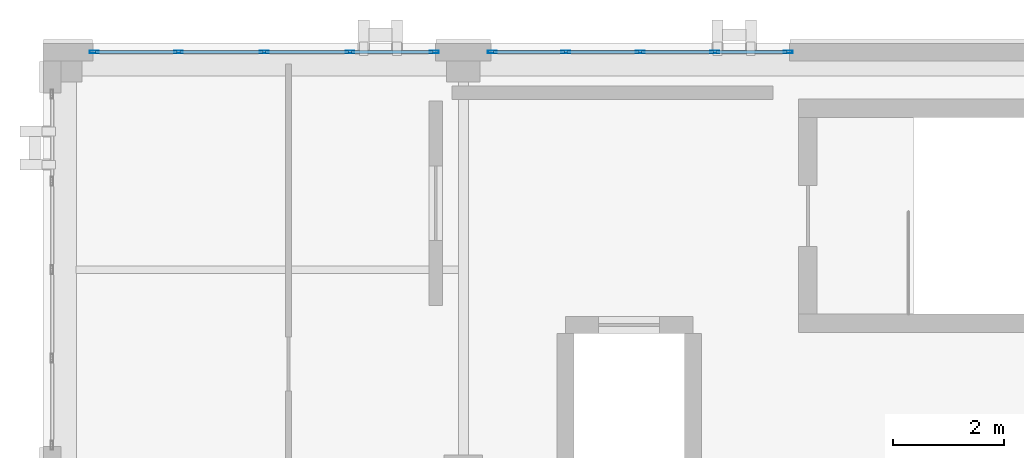
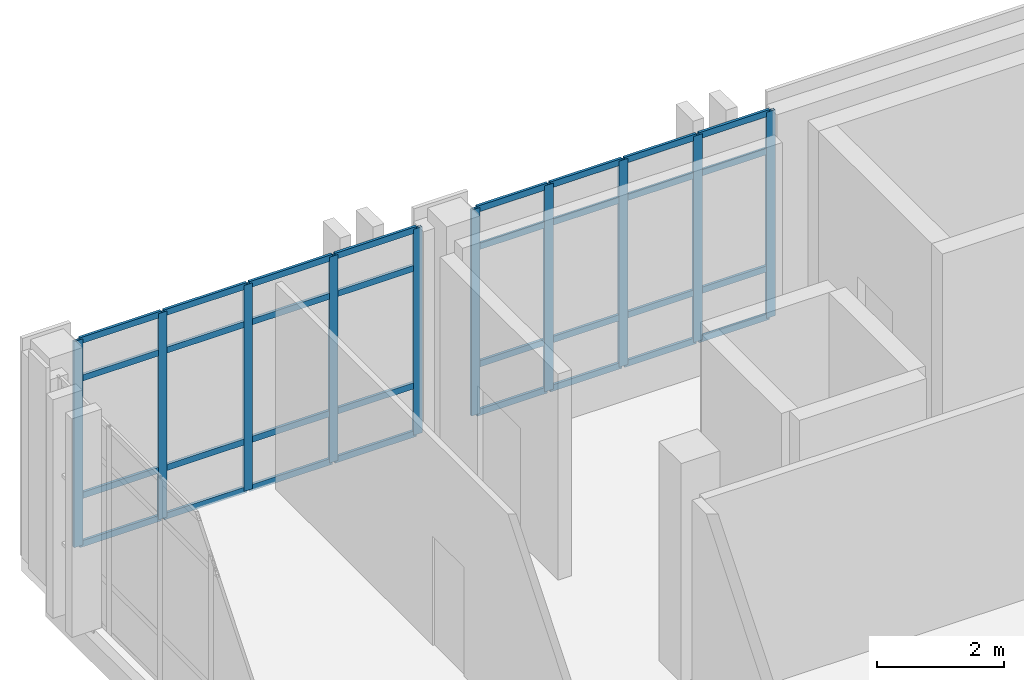
# One storey, part 14 of 19: 42 members, 2 elements without a shape of their own.
"""IFC4 building model written with IfcOpenShell, lengths in metres."""

import ifcopenshell
import ifcopenshell.guid

model = None  # the IFC model being written
_history = None  # IfcOwnerHistory: only IFC2X3 demands one
_inside = {}  # id of a spatial element -> (the spatial element, [elements in it])
_under = {}  # id of a project, library or spatial element -> (it, [spatial elements below it])
_declared = {}  # id of a project -> (the project, [libraries it declares])
_typed = {}  # id of a type object -> (the type object, [elements of that type])
_made_of = {}  # id of a material, layer set ... -> (it, [elements and type objects made of it])


def new_model(schema):
    """Start an empty IFC model of exactly this schema.

    Asked for "IFC4X3", IfcOpenShell would pick the latest addendum, in which some entities
    have other attributes; the version numbers below select the first issue.
    IFC2X3 requires an IfcOwnerHistory on every rooted entity: one is made here for all.
    """
    global model, _history
    if schema == "IFC4X3":
        model = ifcopenshell.file(schema_version=(4, 3, 0, 0))
    else:
        model = ifcopenshell.file(schema=schema)
    _inside.clear()
    _under.clear()
    _declared.clear()
    _typed.clear()
    _made_of.clear()
    _history = None
    if model.schema == "IFC2X3":
        org = make("IfcOrganization", Name="unknown")
        user = make(
            "IfcPersonAndOrganization",
            ThePerson=make("IfcPerson", FamilyName="unknown"),
            TheOrganization=org,
        )
        app = make(
            "IfcApplication",
            ApplicationDeveloper=org,
            Version="unknown",
            ApplicationFullName="unknown",
            ApplicationIdentifier="unknown",
        )
        _history = make(
            "IfcOwnerHistory",
            OwningUser=user,
            OwningApplication=app,
            ChangeAction="ADDED",
            CreationDate=0,
        )
    return model


def make(cls, **values):
    """One entity of the class cls with the attributes given. An attribute that is None is left unset."""
    return model.create_entity(
        cls, **{name: value for name, value in values.items() if value is not None}
    )


def rooted(cls, **values):
    """An entity with a GlobalId (a new one), such as an element, a storey or a relation."""
    return make(cls, GlobalId=ifcopenshell.guid.new(), OwnerHistory=_history, **values)


def si_unit(unit_type, name, prefix=None):
    """IfcSIUnit, for example si_unit("LENGTHUNIT", "METRE", prefix="MILLI")."""
    return make("IfcSIUnit", UnitType=unit_type, Prefix=prefix, Name=name)


def assignment(units):
    """IfcUnitAssignment: the units of a project."""
    return None if units is None else make("IfcUnitAssignment", Units=units)


def point(xyz):
    """IfcCartesianPoint."""
    return None if xyz is None else make("IfcCartesianPoint", Coordinates=xyz)


def direction(xyz):
    """IfcDirection."""
    return None if xyz is None else make("IfcDirection", DirectionRatios=xyz)


def frame(location, z_axis=None, x_axis=None):
    """IfcAxis2Placement3D, a coordinate frame: its origin and axes. An axis left out is left unset."""
    return make(
        "IfcAxis2Placement3D",
        Location=point(location),
        Axis=direction(z_axis),
        RefDirection=direction(x_axis),
    )


def frame_2d(location, x_axis=None):
    """IfcAxis2Placement2D, a coordinate frame in the plane: its origin and x axis."""
    return make(
        "IfcAxis2Placement2D", Location=point(location), RefDirection=direction(x_axis)
    )


def origin():
    """The frame at (0, 0, 0) with its axes left unset."""
    return frame((0.0, 0.0, 0.0))


def origin_2d():
    """The frame at (0, 0) in the plane with its x axis left unset."""
    return frame_2d((0.0, 0.0))


def place(relative_to, where):
    """IfcLocalPlacement: puts the frame where relative to a parent placement (None: the world)."""
    return make(
        "IfcLocalPlacement", PlacementRelTo=relative_to, RelativePlacement=where
    )


def context(
    kind, dimensions, precision=None, world=None, true_north=None, identifier=None
):
    """IfcGeometricRepresentationContext, for example the 3D "Model" context."""
    return make(
        "IfcGeometricRepresentationContext",
        ContextIdentifier=identifier,
        ContextType=kind,
        CoordinateSpaceDimension=dimensions,
        Precision=precision,
        WorldCoordinateSystem=world,
        TrueNorth=true_north,
    )


def subcontext(parent, identifier, kind, view, scale=None):
    """IfcGeometricRepresentationSubContext, for example "Body" below "Model"."""
    return make(
        "IfcGeometricRepresentationSubContext",
        ContextIdentifier=identifier,
        ContextType=kind,
        ParentContext=parent,
        TargetScale=scale,
        TargetView=view,
    )


def project(units=None, contexts=None):
    """IfcProject with its units and contexts."""
    return rooted(
        "IfcProject",
        Name="project",
        RepresentationContexts=contexts,
        UnitsInContext=assignment(units),
    )


def spatial(cls, under=None, at=None, **own):
    """A site, building, storey or space (cls), placed at a placement, below another one or the project."""
    s = rooted(cls, ObjectPlacement=at, **own)
    if under is not None:
        _under.setdefault(under.id(), (under, []))[1].append(s)
    return s


def profile(cls, at=None, kind="AREA", **sizes):
    """A parametric profile (cls). Its sizes go by their IFC names, for example OverallWidth=200.0."""
    return make(cls, ProfileType=kind, Position=at, **sizes)


def hollow_rectangle(**sizes):
    """IfcRectangleHollowProfileDef."""
    return profile("IfcRectangleHollowProfileDef", **sizes)


def extrude(swept, where, along, depth):
    """IfcExtrudedAreaSolid: the profile swept, set in the frame where, extruded along a direction by depth."""
    return make(
        "IfcExtrudedAreaSolid",
        SweptArea=swept,
        Position=where,
        ExtrudedDirection=direction(along),
        Depth=depth,
    )


def shape(context_of_items, identifier, shape_type, items):
    """IfcShapeRepresentation: the items that make up one representation, for example the "Body"."""
    return make(
        "IfcShapeRepresentation",
        ContextOfItems=context_of_items,
        RepresentationIdentifier=identifier,
        RepresentationType=shape_type,
        Items=items,
    )


def material(Name=None, Category=None):
    """IfcMaterial."""
    return make("IfcMaterial", Name=Name, Category=Category)


def layer(
    of_material, thickness, ventilated=None, Name=None, Category=None, Priority=None
):
    """IfcMaterialLayer: one layer of a wall or slab, of a material (None: an air gap)."""
    return make(
        "IfcMaterialLayer",
        Material=of_material,
        LayerThickness=thickness,
        IsVentilated=ventilated,
        Name=Name,
        Category=Category,
        Priority=Priority,
    )


def layer_set(layers, Name=None):
    """IfcMaterialLayerSet."""
    return make("IfcMaterialLayerSet", MaterialLayers=layers, LayerSetName=Name)


def material_profile(
    of_material, cross_section, Name=None, Category=None, Priority=None
):
    """IfcMaterialProfile: a cross section and its material."""
    return make(
        "IfcMaterialProfile",
        Name=Name,
        Material=of_material,
        Profile=cross_section,
        Priority=Priority,
        Category=Category,
    )


def profile_set(profiles, Name=None, composite=None):
    """IfcMaterialProfileSet."""
    return make(
        "IfcMaterialProfileSet",
        Name=Name,
        MaterialProfiles=profiles,
        CompositeProfile=composite,
    )


def made_of(thing, what):
    """Note that an element or type object is made of a material, layer set ...; save() writes the relation."""
    if what is not None:
        _made_of.setdefault(what.id(), (what, []))[1].append(thing)
    return thing


def type_object(cls, material=None, **own):
    """A type object (cls), such as IfcWallType, which elements share."""
    return made_of(rooted(cls, **own), material)


def element(
    cls,
    number,
    at=None,
    inside=None,
    cuts=None,
    type_object=None,
    material=None,
    context=None,
    identifier="Body",
    shape_type=None,
    held_by="IfcProductDefinitionShape",
    body=None,
    shapes=None,
    **own,
):
    """One element of the class cls, such as IfcWall. Its Tag is "e" and its number.

    at: its placement. inside: the storey or other place that contains it. cuts: it is an
    opening in that element (IfcRelVoidsElement). A single representation is given by context,
    identifier, shape_type and body (its items); several are given by shapes. held_by: the class
    of the entity that holds the representations. save() writes the other relations.
    """
    e = rooted(cls, Tag="e%d" % number, ObjectPlacement=at, **own)
    if body is not None:
        shapes = [shape(context, identifier, shape_type, body)]
    if shapes is not None:
        e.Representation = make(held_by, Representations=shapes)
    if inside is not None:
        _inside.setdefault(inside.id(), (inside, []))[1].append(e)
    if cuts is not None:
        rooted(
            "IfcRelVoidsElement", RelatingBuildingElement=cuts, RelatedOpeningElement=e
        )
    if type_object is not None:
        _typed.setdefault(type_object.id(), (type_object, []))[1].append(e)
    return made_of(e, material)


def aggregate(whole, parts):
    """IfcRelAggregates: a whole, such as a stair, and the parts it consists of."""
    return rooted("IfcRelAggregates", RelatingObject=whole, RelatedObjects=parts)


def save(model, path):
    """Write the relations noted so far, then the file.

    IfcRelAggregates (storeys below a building ...), IfcRelContainedInSpatialStructure (elements
    in a storey), IfcRelDefinesByType, IfcRelAssociatesMaterial and IfcRelDeclares: one each for
    every whole, place, type object, material and project.
    """
    for whole, parts in _under.values():
        aggregate(whole, parts)
    for where, things in _inside.values():
        rooted(
            "IfcRelContainedInSpatialStructure",
            RelatedElements=things,
            RelatingStructure=where,
        )
    for kind, things in _typed.values():
        rooted("IfcRelDefinesByType", RelatedObjects=things, RelatingType=kind)
    for what, things in _made_of.values():
        rooted("IfcRelAssociatesMaterial", RelatedObjects=things, RelatingMaterial=what)
    for by, libraries in _declared.values():
        rooted("IfcRelDeclares", RelatingContext=by, RelatedDefinitions=libraries)
    model.write(path)


model = new_model("IFC4")

# Units and contexts
model_context = context("Model", 3, precision=1e-05, world=origin(), true_north=direction((0.0, 1.0)))
body_context = subcontext(model_context, "Body", "Model", "MODEL_VIEW")
ifc_project = project(units=[si_unit("LENGTHUNIT", "METRE"), si_unit("AREAUNIT", "SQUARE_METRE"), si_unit("VOLUMEUNIT", "CUBIC_METRE"), si_unit("PLANEANGLEUNIT", "RADIAN"), si_unit("MASSUNIT", "GRAM", prefix="KILO")], contexts=[model_context])

# Site, building, storey
site_placement = place(None, origin())
site = spatial("IfcSite", under=ifc_project, at=site_placement, CompositionType="ELEMENT")
building_placement = place(site_placement, origin())
building = spatial("IfcBuilding", under=site, at=building_placement, Name="Qalavern Law Courts", CompositionType="ELEMENT")
storey_placement = place(building_placement, frame((0.0, 0.0, 39.60009765625)))
storey = spatial("IfcBuildingStorey", under=building, at=storey_placement, Name="L09", CompositionType="ELEMENT", Elevation=39.60009765625)

# Curtain wall, members
ifc_material_1 = material(Name="Anodised aluminium and insulated glazing", Category="aluminium")
ifc_layer = layer(ifc_material_1, 0.159912109375)
ifc_layer_set = layer_set([ifc_layer], Name="Anodised aluminium and insulated glazing")
curtain_wall_type = type_object("IfcCurtainWallType", Name="ENV-CW-CHAMB", PredefinedType="USERDEFINED", material=ifc_layer_set)
curtain_wall_1_placement = place(storey_placement, origin())
curtain_wall_1 = element("IfcCurtainWall", 1, at=curtain_wall_1_placement, inside=storey, type_object=curtain_wall_type, Name="V4 unitised curtain wall L09 north 1", ObjectType="UNITISED CURTAIN WALL", PredefinedType="USERDEFINED")
ifc_material_2 = material(Name="Anodised aluminium", Category="aluminium")
ifc_material_profile_1 = material_profile(ifc_material_2, hollow_rectangle(XDim=0.048095703125, YDim=0.159912109375, WallThickness=0.00390625, at=origin_2d()), Name="ALU MULLION 48x160")
ifc_profile_set_1 = profile_set([ifc_material_profile_1], Name="Anodised aluminium")
member_type_1 = type_object("IfcMemberType", Name="ENV-CWM-48x160", PredefinedType="MULLION", material=ifc_profile_set_1)
member_1_placement = place(storey_placement, frame((97.676025390625, 73.03759765625, 0.0), z_axis=(0.0, 0.0, 1.0), x_axis=(0.0, -1.0, 0.0)))
member_1 = element("IfcMember", 2, at=member_1_placement, type_object=member_type_1, Name="CW-04 mullion 1", PredefinedType="MULLION", context=body_context, shape_type="SweptSolid", body=[
    extrude(hollow_rectangle(XDim=0.048095703125, YDim=0.159912109375, WallThickness=0.00390625, at=origin_2d()), origin(), (0.0, 0.0, 1.0), 3.949951171875),
])
member_2_placement = place(storey_placement, frame((96.35009765625, 73.03759765625, 0.0), z_axis=(0.0, 0.0, 1.0), x_axis=(0.0, -1.0, 0.0)))
member_2 = element("IfcMember", 3, at=member_2_placement, type_object=member_type_1, Name="CW-04 mullion 2", PredefinedType="MULLION", context=body_context, shape_type="SweptSolid", body=[
    extrude(hollow_rectangle(XDim=0.048095703125, YDim=0.159912109375, WallThickness=0.00390625, at=origin_2d()), origin(), (0.0, 0.0, 1.0), 3.949951171875),
])
member_3_placement = place(storey_placement, frame((95.0, 73.03759765625, 0.0), z_axis=(0.0, 0.0, 1.0), x_axis=(0.0, -1.0, 0.0)))
member_3 = element("IfcMember", 4, at=member_3_placement, type_object=member_type_1, Name="CW-04 mullion 3", PredefinedType="MULLION", context=body_context, shape_type="SweptSolid", body=[
    extrude(hollow_rectangle(XDim=0.048095703125, YDim=0.159912109375, WallThickness=0.00390625, at=origin_2d()), origin(), (0.0, 0.0, 1.0), 3.949951171875),
])
member_4_placement = place(storey_placement, frame((93.64990234375, 73.03759765625, 0.0), z_axis=(0.0, 0.0, 1.0), x_axis=(0.0, -1.0, 0.0)))
member_4 = element("IfcMember", 5, at=member_4_placement, type_object=member_type_1, Name="CW-04 mullion 4", PredefinedType="MULLION", context=body_context, shape_type="SweptSolid", body=[
    extrude(hollow_rectangle(XDim=0.048095703125, YDim=0.159912109375, WallThickness=0.00390625, at=origin_2d()), origin(), (0.0, 0.0, 1.0), 3.949951171875),
])
member_5_placement = place(storey_placement, frame((92.323974609375, 73.03759765625, 0.0), z_axis=(0.0, 0.0, 1.0), x_axis=(0.0, -1.0, 0.0)))
member_5 = element("IfcMember", 6, at=member_5_placement, type_object=member_type_1, Name="CW-04 mullion 5", PredefinedType="MULLION", context=body_context, shape_type="SweptSolid", body=[
    extrude(hollow_rectangle(XDim=0.048095703125, YDim=0.159912109375, WallThickness=0.00390625, at=origin_2d()), origin(), (0.0, 0.0, 1.0), 3.949951171875),
])

curtain_wall_2_placement = place(storey_placement, origin())
curtain_wall_2 = element("IfcCurtainWall", 7, at=curtain_wall_2_placement, inside=storey, type_object=curtain_wall_type, Name="V4 unitised curtain wall L09 north 2", ObjectType="UNITISED CURTAIN WALL", PredefinedType="USERDEFINED")
member_6_placement = place(storey_placement, frame((91.27587890625, 73.03759765625, 0.0), z_axis=(0.0, 0.0, 1.0), x_axis=(0.0, -1.0, 0.0)))
member_6 = element("IfcMember", 8, at=member_6_placement, type_object=member_type_1, Name="CW-04 mullion 1", PredefinedType="MULLION", context=body_context, shape_type="SweptSolid", body=[
    extrude(hollow_rectangle(XDim=0.048095703125, YDim=0.159912109375, WallThickness=0.00390625, at=origin_2d()), origin(), (0.0, 0.0, 1.0), 3.949951171875),
])
member_7_placement = place(storey_placement, frame((89.75, 73.03759765625, 0.0), z_axis=(0.0, 0.0, 1.0), x_axis=(0.0, -1.0, 0.0)))
member_7 = element("IfcMember", 9, at=member_7_placement, type_object=member_type_1, Name="CW-04 mullion 2", PredefinedType="MULLION", context=body_context, shape_type="SweptSolid", body=[
    extrude(hollow_rectangle(XDim=0.048095703125, YDim=0.159912109375, WallThickness=0.00390625, at=origin_2d()), origin(), (0.0, 0.0, 1.0), 3.949951171875),
])
member_8_placement = place(storey_placement, frame((88.199951171875, 73.03759765625, 0.0), z_axis=(0.0, 0.0, 1.0), x_axis=(0.0, -1.0, 0.0)))
member_8 = element("IfcMember", 10, at=member_8_placement, type_object=member_type_1, Name="CW-04 mullion 3", PredefinedType="MULLION", context=body_context, shape_type="SweptSolid", body=[
    extrude(hollow_rectangle(XDim=0.048095703125, YDim=0.159912109375, WallThickness=0.00390625, at=origin_2d()), origin(), (0.0, 0.0, 1.0), 3.949951171875),
])
member_9_placement = place(storey_placement, frame((86.64990234375, 73.03759765625, 0.0), z_axis=(0.0, 0.0, 1.0), x_axis=(0.0, -1.0, 0.0)))
member_9 = element("IfcMember", 11, at=member_9_placement, type_object=member_type_1, Name="CW-04 mullion 4", PredefinedType="MULLION", context=body_context, shape_type="SweptSolid", body=[
    extrude(hollow_rectangle(XDim=0.048095703125, YDim=0.159912109375, WallThickness=0.00390625, at=origin_2d()), origin(), (0.0, 0.0, 1.0), 3.949951171875),
])
member_10_placement = place(storey_placement, frame((85.1240234375, 73.03759765625, 0.0), z_axis=(0.0, 0.0, 1.0), x_axis=(0.0, -1.0, 0.0)))
member_10 = element("IfcMember", 12, at=member_10_placement, type_object=member_type_1, Name="CW-04 mullion 5", PredefinedType="MULLION", context=body_context, shape_type="SweptSolid", body=[
    extrude(hollow_rectangle(XDim=0.048095703125, YDim=0.159912109375, WallThickness=0.00390625, at=origin_2d()), origin(), (0.0, 0.0, 1.0), 3.949951171875),
])

# Member
ifc_material_profile_2 = material_profile(ifc_material_2, hollow_rectangle(XDim=0.048095703125, YDim=0.1201171875, WallThickness=0.00390625, at=origin_2d()), Name="ALU TRANSOM 48x120")
ifc_profile_set_2 = profile_set([ifc_material_profile_2], Name="Anodised aluminium")
member_type_2 = type_object("IfcMemberType", Name="ENV-CWT-48x120", PredefinedType="USERDEFINED", material=ifc_profile_set_2)
member_11_placement = place(storey_placement, frame((97.652099609375, 73.03759765625, 0.02392578125), z_axis=(-1.0, 0.0, 0.0), x_axis=(0.0, -1.0, 0.0)))
member_11 = element("IfcMember", 13, at=member_11_placement, type_object=member_type_2, Name="CW-04 transom 1.1", ObjectType="TRANSOM", PredefinedType="USERDEFINED", context=body_context, shape_type="SweptSolid", body=[
    extrude(hollow_rectangle(XDim=0.048095703125, YDim=0.1201171875, WallThickness=0.00390625, at=origin_2d()), origin(), (0.0, 0.0, 1.0), 1.278076171875),
])

member_12_placement = place(storey_placement, frame((97.652099609375, 73.03759765625, 0.949951171875), z_axis=(-1.0, 0.0, 0.0), x_axis=(0.0, -1.0, 0.0)))
member_12 = element("IfcMember", 14, at=member_12_placement, type_object=member_type_2, Name="CW-04 transom 1.2", ObjectType="TRANSOM", PredefinedType="USERDEFINED", context=body_context, shape_type="SweptSolid", body=[
    extrude(hollow_rectangle(XDim=0.048095703125, YDim=0.1201171875, WallThickness=0.00390625, at=origin_2d()), origin(), (0.0, 0.0, 1.0), 1.278076171875),
])

member_13_placement = place(storey_placement, frame((97.652099609375, 73.03759765625, 3.199951171875), z_axis=(-1.0, 0.0, 0.0), x_axis=(0.0, -1.0, 0.0)))
member_13 = element("IfcMember", 15, at=member_13_placement, type_object=member_type_2, Name="CW-04 transom 1.3", ObjectType="TRANSOM", PredefinedType="USERDEFINED", context=body_context, shape_type="SweptSolid", body=[
    extrude(hollow_rectangle(XDim=0.048095703125, YDim=0.1201171875, WallThickness=0.00390625, at=origin_2d()), origin(), (0.0, 0.0, 1.0), 1.278076171875),
])

member_14_placement = place(storey_placement, frame((97.652099609375, 73.03759765625, 3.92578125), z_axis=(-1.0, 0.0, 0.0), x_axis=(0.0, -1.0, 0.0)))
member_14 = element("IfcMember", 16, at=member_14_placement, type_object=member_type_2, Name="CW-04 transom 1.4", ObjectType="TRANSOM", PredefinedType="USERDEFINED", context=body_context, shape_type="SweptSolid", body=[
    extrude(hollow_rectangle(XDim=0.048095703125, YDim=0.1201171875, WallThickness=0.00390625, at=origin_2d()), origin(), (0.0, 0.0, 1.0), 1.278076171875),
])

member_15_placement = place(storey_placement, frame((96.325927734375, 73.03759765625, 0.02392578125), z_axis=(-1.0, 0.0, 0.0), x_axis=(0.0, -1.0, 0.0)))
member_15 = element("IfcMember", 17, at=member_15_placement, type_object=member_type_2, Name="CW-04 transom 2.1", ObjectType="TRANSOM", PredefinedType="USERDEFINED", context=body_context, shape_type="SweptSolid", body=[
    extrude(hollow_rectangle(XDim=0.048095703125, YDim=0.1201171875, WallThickness=0.00390625, at=origin_2d()), origin(), (0.0, 0.0, 1.0), 1.302001953125),
])

member_16_placement = place(storey_placement, frame((96.325927734375, 73.03759765625, 0.949951171875), z_axis=(-1.0, 0.0, 0.0), x_axis=(0.0, -1.0, 0.0)))
member_16 = element("IfcMember", 18, at=member_16_placement, type_object=member_type_2, Name="CW-04 transom 2.2", ObjectType="TRANSOM", PredefinedType="USERDEFINED", context=body_context, shape_type="SweptSolid", body=[
    extrude(hollow_rectangle(XDim=0.048095703125, YDim=0.1201171875, WallThickness=0.00390625, at=origin_2d()), origin(), (0.0, 0.0, 1.0), 1.302001953125),
])

member_17_placement = place(storey_placement, frame((96.325927734375, 73.03759765625, 3.199951171875), z_axis=(-1.0, 0.0, 0.0), x_axis=(0.0, -1.0, 0.0)))
member_17 = element("IfcMember", 19, at=member_17_placement, type_object=member_type_2, Name="CW-04 transom 2.3", ObjectType="TRANSOM", PredefinedType="USERDEFINED", context=body_context, shape_type="SweptSolid", body=[
    extrude(hollow_rectangle(XDim=0.048095703125, YDim=0.1201171875, WallThickness=0.00390625, at=origin_2d()), origin(), (0.0, 0.0, 1.0), 1.302001953125),
])

member_18_placement = place(storey_placement, frame((96.325927734375, 73.03759765625, 3.92578125), z_axis=(-1.0, 0.0, 0.0), x_axis=(0.0, -1.0, 0.0)))
member_18 = element("IfcMember", 20, at=member_18_placement, type_object=member_type_2, Name="CW-04 transom 2.4", ObjectType="TRANSOM", PredefinedType="USERDEFINED", context=body_context, shape_type="SweptSolid", body=[
    extrude(hollow_rectangle(XDim=0.048095703125, YDim=0.1201171875, WallThickness=0.00390625, at=origin_2d()), origin(), (0.0, 0.0, 1.0), 1.302001953125),
])

member_19_placement = place(storey_placement, frame((94.97607421875, 73.03759765625, 0.02392578125), z_axis=(-1.0, 0.0, 0.0), x_axis=(0.0, -1.0, 0.0)))
member_19 = element("IfcMember", 21, at=member_19_placement, type_object=member_type_2, Name="CW-04 transom 3.1", ObjectType="TRANSOM", PredefinedType="USERDEFINED", context=body_context, shape_type="SweptSolid", body=[
    extrude(hollow_rectangle(XDim=0.048095703125, YDim=0.1201171875, WallThickness=0.00390625, at=origin_2d()), origin(), (0.0, 0.0, 1.0), 1.302001953125),
])

member_20_placement = place(storey_placement, frame((94.97607421875, 73.03759765625, 0.949951171875), z_axis=(-1.0, 0.0, 0.0), x_axis=(0.0, -1.0, 0.0)))
member_20 = element("IfcMember", 22, at=member_20_placement, type_object=member_type_2, Name="CW-04 transom 3.2", ObjectType="TRANSOM", PredefinedType="USERDEFINED", context=body_context, shape_type="SweptSolid", body=[
    extrude(hollow_rectangle(XDim=0.048095703125, YDim=0.1201171875, WallThickness=0.00390625, at=origin_2d()), origin(), (0.0, 0.0, 1.0), 1.302001953125),
])

member_21_placement = place(storey_placement, frame((94.97607421875, 73.03759765625, 3.199951171875), z_axis=(-1.0, 0.0, 0.0), x_axis=(0.0, -1.0, 0.0)))
member_21 = element("IfcMember", 23, at=member_21_placement, type_object=member_type_2, Name="CW-04 transom 3.3", ObjectType="TRANSOM", PredefinedType="USERDEFINED", context=body_context, shape_type="SweptSolid", body=[
    extrude(hollow_rectangle(XDim=0.048095703125, YDim=0.1201171875, WallThickness=0.00390625, at=origin_2d()), origin(), (0.0, 0.0, 1.0), 1.302001953125),
])

member_22_placement = place(storey_placement, frame((94.97607421875, 73.03759765625, 3.92578125), z_axis=(-1.0, 0.0, 0.0), x_axis=(0.0, -1.0, 0.0)))
member_22 = element("IfcMember", 24, at=member_22_placement, type_object=member_type_2, Name="CW-04 transom 3.4", ObjectType="TRANSOM", PredefinedType="USERDEFINED", context=body_context, shape_type="SweptSolid", body=[
    extrude(hollow_rectangle(XDim=0.048095703125, YDim=0.1201171875, WallThickness=0.00390625, at=origin_2d()), origin(), (0.0, 0.0, 1.0), 1.302001953125),
])

member_23_placement = place(storey_placement, frame((93.6259765625, 73.03759765625, 0.02392578125), z_axis=(-1.0, 0.0, 0.0), x_axis=(0.0, -1.0, 0.0)))
member_23 = element("IfcMember", 25, at=member_23_placement, type_object=member_type_2, Name="CW-04 transom 4.1", ObjectType="TRANSOM", PredefinedType="USERDEFINED", context=body_context, shape_type="SweptSolid", body=[
    extrude(hollow_rectangle(XDim=0.048095703125, YDim=0.1201171875, WallThickness=0.00390625, at=origin_2d()), origin(), (0.0, 0.0, 1.0), 1.278076171875),
])

member_24_placement = place(storey_placement, frame((93.6259765625, 73.03759765625, 0.949951171875), z_axis=(-1.0, 0.0, 0.0), x_axis=(0.0, -1.0, 0.0)))
member_24 = element("IfcMember", 26, at=member_24_placement, type_object=member_type_2, Name="CW-04 transom 4.2", ObjectType="TRANSOM", PredefinedType="USERDEFINED", context=body_context, shape_type="SweptSolid", body=[
    extrude(hollow_rectangle(XDim=0.048095703125, YDim=0.1201171875, WallThickness=0.00390625, at=origin_2d()), origin(), (0.0, 0.0, 1.0), 1.278076171875),
])

member_25_placement = place(storey_placement, frame((93.6259765625, 73.03759765625, 3.199951171875), z_axis=(-1.0, 0.0, 0.0), x_axis=(0.0, -1.0, 0.0)))
member_25 = element("IfcMember", 27, at=member_25_placement, type_object=member_type_2, Name="CW-04 transom 4.3", ObjectType="TRANSOM", PredefinedType="USERDEFINED", context=body_context, shape_type="SweptSolid", body=[
    extrude(hollow_rectangle(XDim=0.048095703125, YDim=0.1201171875, WallThickness=0.00390625, at=origin_2d()), origin(), (0.0, 0.0, 1.0), 1.278076171875),
])

member_26_placement = place(storey_placement, frame((93.6259765625, 73.03759765625, 3.92578125), z_axis=(-1.0, 0.0, 0.0), x_axis=(0.0, -1.0, 0.0)))
member_26 = element("IfcMember", 28, at=member_26_placement, type_object=member_type_2, Name="CW-04 transom 4.4", ObjectType="TRANSOM", PredefinedType="USERDEFINED", context=body_context, shape_type="SweptSolid", body=[
    extrude(hollow_rectangle(XDim=0.048095703125, YDim=0.1201171875, WallThickness=0.00390625, at=origin_2d()), origin(), (0.0, 0.0, 1.0), 1.278076171875),
])

aggregate(curtain_wall_1, [member_1, member_2, member_3, member_4, member_5, member_11, member_12, member_13, member_14, member_15, member_16, member_17, member_18, member_19, member_20, member_21, member_22, member_23, member_24, member_25, member_26])

member_27_placement = place(storey_placement, frame((91.251953125, 73.03759765625, 0.02392578125), z_axis=(-1.0, 0.0, 0.0), x_axis=(0.0, -1.0, 0.0)))
member_27 = element("IfcMember", 29, at=member_27_placement, type_object=member_type_2, Name="CW-04 transom 1.1", ObjectType="TRANSOM", PredefinedType="USERDEFINED", context=body_context, shape_type="SweptSolid", body=[
    extrude(hollow_rectangle(XDim=0.048095703125, YDim=0.1201171875, WallThickness=0.00390625, at=origin_2d()), origin(), (0.0, 0.0, 1.0), 1.47802734375),
])

member_28_placement = place(storey_placement, frame((91.251953125, 73.03759765625, 0.949951171875), z_axis=(-1.0, 0.0, 0.0), x_axis=(0.0, -1.0, 0.0)))
member_28 = element("IfcMember", 30, at=member_28_placement, type_object=member_type_2, Name="CW-04 transom 1.2", ObjectType="TRANSOM", PredefinedType="USERDEFINED", context=body_context, shape_type="SweptSolid", body=[
    extrude(hollow_rectangle(XDim=0.048095703125, YDim=0.1201171875, WallThickness=0.00390625, at=origin_2d()), origin(), (0.0, 0.0, 1.0), 1.47802734375),
])

member_29_placement = place(storey_placement, frame((91.251953125, 73.03759765625, 3.199951171875), z_axis=(-1.0, 0.0, 0.0), x_axis=(0.0, -1.0, 0.0)))
member_29 = element("IfcMember", 31, at=member_29_placement, type_object=member_type_2, Name="CW-04 transom 1.3", ObjectType="TRANSOM", PredefinedType="USERDEFINED", context=body_context, shape_type="SweptSolid", body=[
    extrude(hollow_rectangle(XDim=0.048095703125, YDim=0.1201171875, WallThickness=0.00390625, at=origin_2d()), origin(), (0.0, 0.0, 1.0), 1.47802734375),
])

member_30_placement = place(storey_placement, frame((91.251953125, 73.03759765625, 3.92578125), z_axis=(-1.0, 0.0, 0.0), x_axis=(0.0, -1.0, 0.0)))
member_30 = element("IfcMember", 32, at=member_30_placement, type_object=member_type_2, Name="CW-04 transom 1.4", ObjectType="TRANSOM", PredefinedType="USERDEFINED", context=body_context, shape_type="SweptSolid", body=[
    extrude(hollow_rectangle(XDim=0.048095703125, YDim=0.1201171875, WallThickness=0.00390625, at=origin_2d()), origin(), (0.0, 0.0, 1.0), 1.47802734375),
])

member_31_placement = place(storey_placement, frame((89.72607421875, 73.03759765625, 0.02392578125), z_axis=(-1.0, 0.0, 0.0), x_axis=(0.0, -1.0, 0.0)))
member_31 = element("IfcMember", 33, at=member_31_placement, type_object=member_type_2, Name="CW-04 transom 2.1", ObjectType="TRANSOM", PredefinedType="USERDEFINED", context=body_context, shape_type="SweptSolid", body=[
    extrude(hollow_rectangle(XDim=0.048095703125, YDim=0.1201171875, WallThickness=0.00390625, at=origin_2d()), origin(), (0.0, 0.0, 1.0), 1.501953125),
])

member_32_placement = place(storey_placement, frame((89.72607421875, 73.03759765625, 0.949951171875), z_axis=(-1.0, 0.0, 0.0), x_axis=(0.0, -1.0, 0.0)))
member_32 = element("IfcMember", 34, at=member_32_placement, type_object=member_type_2, Name="CW-04 transom 2.2", ObjectType="TRANSOM", PredefinedType="USERDEFINED", context=body_context, shape_type="SweptSolid", body=[
    extrude(hollow_rectangle(XDim=0.048095703125, YDim=0.1201171875, WallThickness=0.00390625, at=origin_2d()), origin(), (0.0, 0.0, 1.0), 1.501953125),
])

member_33_placement = place(storey_placement, frame((89.72607421875, 73.03759765625, 3.199951171875), z_axis=(-1.0, 0.0, 0.0), x_axis=(0.0, -1.0, 0.0)))
member_33 = element("IfcMember", 35, at=member_33_placement, type_object=member_type_2, Name="CW-04 transom 2.3", ObjectType="TRANSOM", PredefinedType="USERDEFINED", context=body_context, shape_type="SweptSolid", body=[
    extrude(hollow_rectangle(XDim=0.048095703125, YDim=0.1201171875, WallThickness=0.00390625, at=origin_2d()), origin(), (0.0, 0.0, 1.0), 1.501953125),
])

member_34_placement = place(storey_placement, frame((89.72607421875, 73.03759765625, 3.92578125), z_axis=(-1.0, 0.0, 0.0), x_axis=(0.0, -1.0, 0.0)))
member_34 = element("IfcMember", 36, at=member_34_placement, type_object=member_type_2, Name="CW-04 transom 2.4", ObjectType="TRANSOM", PredefinedType="USERDEFINED", context=body_context, shape_type="SweptSolid", body=[
    extrude(hollow_rectangle(XDim=0.048095703125, YDim=0.1201171875, WallThickness=0.00390625, at=origin_2d()), origin(), (0.0, 0.0, 1.0), 1.501953125),
])

member_35_placement = place(storey_placement, frame((88.176025390625, 73.03759765625, 0.02392578125), z_axis=(-1.0, 0.0, 0.0), x_axis=(0.0, -1.0, 0.0)))
member_35 = element("IfcMember", 37, at=member_35_placement, type_object=member_type_2, Name="CW-04 transom 3.1", ObjectType="TRANSOM", PredefinedType="USERDEFINED", context=body_context, shape_type="SweptSolid", body=[
    extrude(hollow_rectangle(XDim=0.048095703125, YDim=0.1201171875, WallThickness=0.00390625, at=origin_2d()), origin(), (0.0, 0.0, 1.0), 1.501953125),
])

member_36_placement = place(storey_placement, frame((88.176025390625, 73.03759765625, 0.949951171875), z_axis=(-1.0, 0.0, 0.0), x_axis=(0.0, -1.0, 0.0)))
member_36 = element("IfcMember", 38, at=member_36_placement, type_object=member_type_2, Name="CW-04 transom 3.2", ObjectType="TRANSOM", PredefinedType="USERDEFINED", context=body_context, shape_type="SweptSolid", body=[
    extrude(hollow_rectangle(XDim=0.048095703125, YDim=0.1201171875, WallThickness=0.00390625, at=origin_2d()), origin(), (0.0, 0.0, 1.0), 1.501953125),
])

member_37_placement = place(storey_placement, frame((88.176025390625, 73.03759765625, 3.199951171875), z_axis=(-1.0, 0.0, 0.0), x_axis=(0.0, -1.0, 0.0)))
member_37 = element("IfcMember", 39, at=member_37_placement, type_object=member_type_2, Name="CW-04 transom 3.3", ObjectType="TRANSOM", PredefinedType="USERDEFINED", context=body_context, shape_type="SweptSolid", body=[
    extrude(hollow_rectangle(XDim=0.048095703125, YDim=0.1201171875, WallThickness=0.00390625, at=origin_2d()), origin(), (0.0, 0.0, 1.0), 1.501953125),
])

member_38_placement = place(storey_placement, frame((88.176025390625, 73.03759765625, 3.92578125), z_axis=(-1.0, 0.0, 0.0), x_axis=(0.0, -1.0, 0.0)))
member_38 = element("IfcMember", 40, at=member_38_placement, type_object=member_type_2, Name="CW-04 transom 3.4", ObjectType="TRANSOM", PredefinedType="USERDEFINED", context=body_context, shape_type="SweptSolid", body=[
    extrude(hollow_rectangle(XDim=0.048095703125, YDim=0.1201171875, WallThickness=0.00390625, at=origin_2d()), origin(), (0.0, 0.0, 1.0), 1.501953125),
])

member_39_placement = place(storey_placement, frame((86.6259765625, 73.03759765625, 0.02392578125), z_axis=(-1.0, 0.0, 0.0), x_axis=(0.0, -1.0, 0.0)))
member_39 = element("IfcMember", 41, at=member_39_placement, type_object=member_type_2, Name="CW-04 transom 4.1", ObjectType="TRANSOM", PredefinedType="USERDEFINED", context=body_context, shape_type="SweptSolid", body=[
    extrude(hollow_rectangle(XDim=0.048095703125, YDim=0.1201171875, WallThickness=0.00390625, at=origin_2d()), origin(), (0.0, 0.0, 1.0), 1.47802734375),
])

member_40_placement = place(storey_placement, frame((86.6259765625, 73.03759765625, 0.949951171875), z_axis=(-1.0, 0.0, 0.0), x_axis=(0.0, -1.0, 0.0)))
member_40 = element("IfcMember", 42, at=member_40_placement, type_object=member_type_2, Name="CW-04 transom 4.2", ObjectType="TRANSOM", PredefinedType="USERDEFINED", context=body_context, shape_type="SweptSolid", body=[
    extrude(hollow_rectangle(XDim=0.048095703125, YDim=0.1201171875, WallThickness=0.00390625, at=origin_2d()), origin(), (0.0, 0.0, 1.0), 1.47802734375),
])

member_41_placement = place(storey_placement, frame((86.6259765625, 73.03759765625, 3.199951171875), z_axis=(-1.0, 0.0, 0.0), x_axis=(0.0, -1.0, 0.0)))
member_41 = element("IfcMember", 43, at=member_41_placement, type_object=member_type_2, Name="CW-04 transom 4.3", ObjectType="TRANSOM", PredefinedType="USERDEFINED", context=body_context, shape_type="SweptSolid", body=[
    extrude(hollow_rectangle(XDim=0.048095703125, YDim=0.1201171875, WallThickness=0.00390625, at=origin_2d()), origin(), (0.0, 0.0, 1.0), 1.47802734375),
])

member_42_placement = place(storey_placement, frame((86.6259765625, 73.03759765625, 3.92578125), z_axis=(-1.0, 0.0, 0.0), x_axis=(0.0, -1.0, 0.0)))
member_42 = element("IfcMember", 44, at=member_42_placement, type_object=member_type_2, Name="CW-04 transom 4.4", ObjectType="TRANSOM", PredefinedType="USERDEFINED", context=body_context, shape_type="SweptSolid", body=[
    extrude(hollow_rectangle(XDim=0.048095703125, YDim=0.1201171875, WallThickness=0.00390625, at=origin_2d()), origin(), (0.0, 0.0, 1.0), 1.47802734375),
])

aggregate(curtain_wall_2, [member_6, member_7, member_8, member_9, member_10, member_27, member_28, member_29, member_30, member_31, member_32, member_33, member_34, member_35, member_36, member_37, member_38, member_39, member_40, member_41, member_42])

save(model, "model.ifc")
